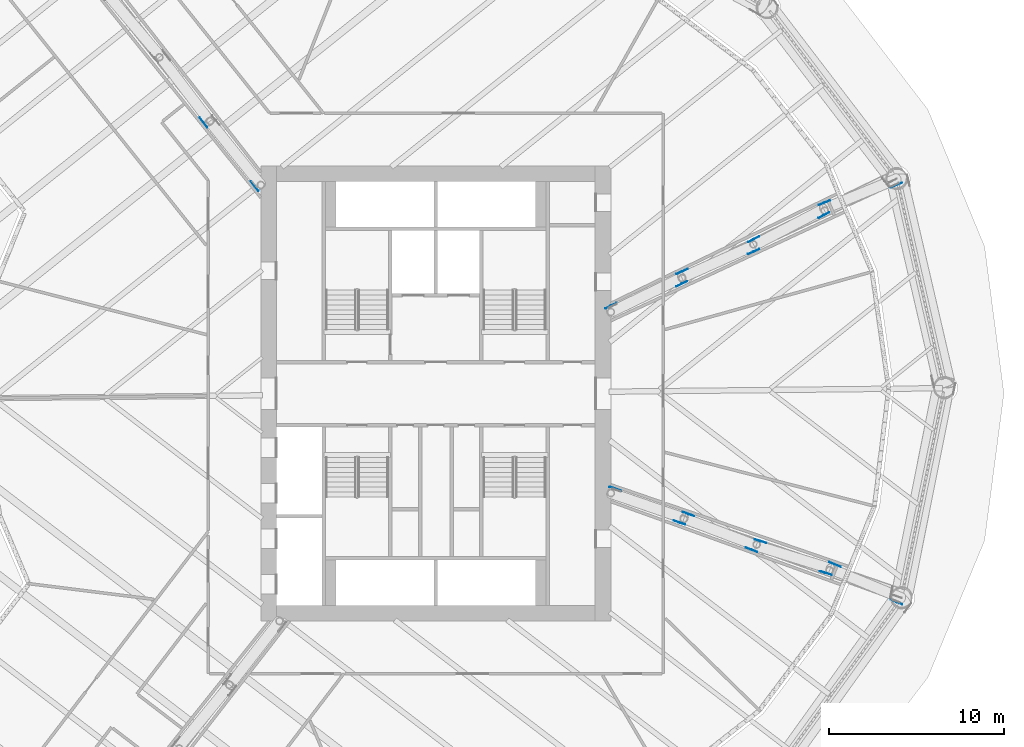
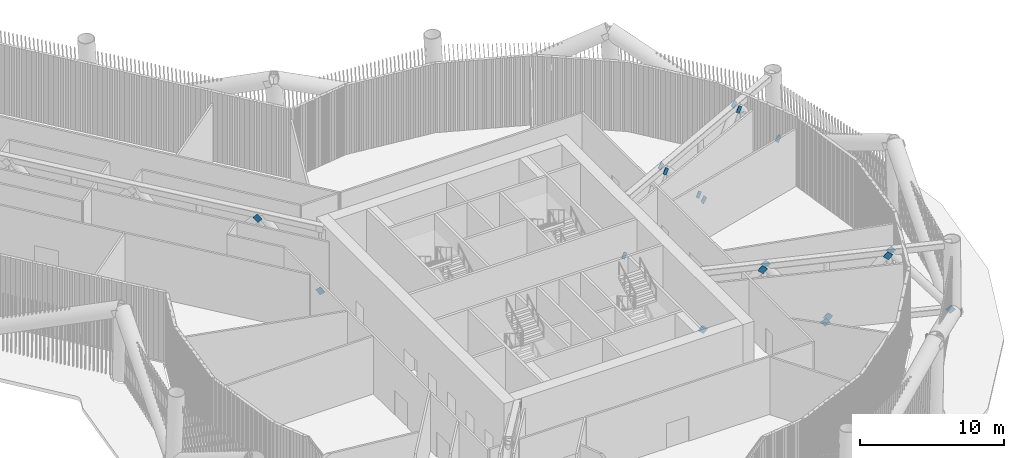
# One storey, part 20 of 48: 18 discrete accessories.
"""IFC4 building model written with IfcOpenShell, lengths in metres."""

from ifc_helpers import new_model, si_unit, direction, frame, origin, origin_2d, place, context, subcontext, project, spatial, rectangle, extrude, material, material_profile, profile_set, type_object, element, save


model = new_model("IFC4")

# Units and contexts
model_context = context("Model", 3, precision=1e-05, world=origin(), true_north=direction((0.0, 1.0)))
body_context = subcontext(model_context, "Body", "Model", "MODEL_VIEW")
ifc_project = project(units=[si_unit("LENGTHUNIT", "METRE"), si_unit("AREAUNIT", "SQUARE_METRE"), si_unit("VOLUMEUNIT", "CUBIC_METRE"), si_unit("PLANEANGLEUNIT", "RADIAN"), si_unit("MASSUNIT", "GRAM", prefix="KILO")], contexts=[model_context])

# Site, building, storey
site_placement = place(None, origin())
site = spatial("IfcSite", under=ifc_project, at=site_placement, CompositionType="ELEMENT")
building_placement = place(site_placement, origin())
building = spatial("IfcBuilding", under=site, at=building_placement, Name="Tarsis Ring Headquarters", CompositionType="ELEMENT")
storey_placement = place(building_placement, frame((0.0, 0.0, 34.0)))
storey = spatial("IfcBuildingStorey", under=building, at=storey_placement, Name="L06", CompositionType="ELEMENT", Elevation=34.0)

# Discrete accessories
ifc_material = material(Name="Structural steel S355", Category="steel")
ifc_material_profile = material_profile(ifc_material, rectangle(XDim=0.02490234375, YDim=0.5, at=origin_2d()), Name="PL 25x500")
ifc_profile_set = profile_set([ifc_material_profile], Name="Structural steel S355")
discrete_accessory_type = type_object("IfcDiscreteAccessoryType", Name="Gusset plate Outrigger 25", PredefinedType="BRACKET", material=ifc_profile_set)
for number, where, z_axis, x_axis, name in (
    (1, (10.103271484375, -5.393310546875, 0.25390625), (0.602971208263, -0.207011977574, 0.770436086348), (0.324715887148, 0.945811605254, 0.0), "Gusset plate GP1"),
    (2, (14.072509765625, -7.428955078125, 5.5859375), (-0.603137000507, 0.207557267381, -0.770159554493), (-0.325400720444, -0.945576211172, 0.0), "Gusset plate GP1"),
    (3, (14.287841796875, -6.83203125, 5.5859375), (0.596186786653, -0.225584189544, -0.77050184221), (0.353892097416, 0.935286257456, 0.0), "Gusset plate GP1"),
):
    element("IfcDiscreteAccessory", number, at=place(storey_placement, frame(where, z_axis=z_axis, x_axis=x_axis)), inside=storey, type_object=discrete_accessory_type, Name=name, PredefinedType="BRACKET", context=body_context, shape_type="SweptSolid", body=[
        extrude(rectangle(XDim=0.02490234375, YDim=0.5, at=origin_2d()), origin(), (0.0, 0.0, 1.0), 0.5),
    ])
discrete_accessory_1_placement = place(storey_placement, frame((18.185302734375, -8.9853515625, 0.25390625), z_axis=(-0.59596254555, 0.22549934156, 0.770700130568), x_axis=(-0.353892097416, -0.935286257456, 0.0)))
element("IfcDiscreteAccessory", 4, at=discrete_accessory_1_placement, inside=storey, type_object=discrete_accessory_type, Name="Gusset plate GP1", PredefinedType="BRACKET", context=body_context, shape_type="SweptSolid", body=[
    extrude(rectangle(XDim=0.02490234375, YDim=0.5, at=origin_2d()), origin(), (0.0, 0.0, 1.0), 0.500244140625),
])
for number, where, z_axis, x_axis, name in (
    (5, (18.3916015625, -8.385498046875, 0.25390625), (0.60986204533, -0.189452741063, 0.769529690505), (0.296663744209, 0.954982001334, 0.0), "Gusset plate GP1"),
    (6, (22.43310546875, -10.30322265625, 5.5859375), (-0.610454179376, 0.188996613935, -0.769172266013), (-0.295750146219, -0.955265330163, 0.0), "Gusset plate GP1"),
):
    element("IfcDiscreteAccessory", number, at=place(storey_placement, frame(where, z_axis=z_axis, x_axis=x_axis)), inside=storey, type_object=discrete_accessory_type, Name=name, PredefinedType="BRACKET", context=body_context, shape_type="SweptSolid", body=[
        extrude(rectangle(XDim=0.02490234375, YDim=0.5, at=origin_2d()), origin(), (0.0, 0.0, 1.0), 0.5),
    ])
discrete_accessory_2_placement = place(storey_placement, frame((22.6484375, -9.70703125, 5.5859375), z_axis=(0.588062120642, -0.243723420432, -0.771221003733), x_axis=(0.382871299654, 0.923801692952, 0.0)))
element("IfcDiscreteAccessory", 7, at=discrete_accessory_2_placement, inside=storey, type_object=discrete_accessory_type, Name="Gusset plate GP1", PredefinedType="BRACKET", context=body_context, shape_type="SweptSolid", body=[
    extrude(rectangle(XDim=0.02490234375, YDim=0.5, at=origin_2d()), origin(), (0.0, 0.0, 1.0), 0.499755859375),
])
discrete_accessory_3_placement = place(storey_placement, frame((26.473876953125, -11.97705078125, 0.25390625), z_axis=(-0.588160050618, 0.243561713907, 0.771197410768), x_axis=(-0.382600091646, -0.923914048964, 0.0)))
element("IfcDiscreteAccessory", 8, at=discrete_accessory_3_placement, inside=storey, type_object=discrete_accessory_type, Name="Gusset plate GP1", PredefinedType="BRACKET", context=body_context, shape_type="SweptSolid", body=[
    extrude(rectangle(XDim=0.02490234375, YDim=0.5, at=origin_2d()), origin(), (0.0, 0.0, 1.0), 0.500244140625),
])
for number, where, z_axis, x_axis, name in (
    (9, (-10.247314453125, 11.716552734375, 0.25390625), (-0.412041546995, 0.512610929318, 0.753293965656), (-0.779418314161, -0.626503863954, 0.0), "Gusset plate GP1"),
    (10, (-13.170166015625, 15.351318359375, 5.5859375), (-0.398508765292, 0.523531123031, -0.753064357942), (-0.795704263552, -0.605685334943, 0.0), "Gusset plate GP1"),
    (11, (9.86181640625, 4.94189453125, 0.25390625), (0.580537479088, 0.281235986505, 0.76412208139), (-0.435976348914, 0.899958123019, 0.0), "Gusset plate GP1"),
    (12, (14.19287109375, 6.3330078125, 5.5859375), (-0.581157437882, -0.280811367044, -0.763806918359), (0.435066432479, -0.900398355913, 0.0), "Gusset plate GP1"),
):
    element("IfcDiscreteAccessory", number, at=place(storey_placement, frame(where, z_axis=z_axis, x_axis=x_axis)), inside=storey, type_object=discrete_accessory_type, Name=name, PredefinedType="BRACKET", context=body_context, shape_type="SweptSolid", body=[
        extrude(rectangle(XDim=0.02490234375, YDim=0.5, at=origin_2d()), origin(), (0.0, 0.0, 1.0), 0.5),
    ])
discrete_accessory_4_placement = place(storey_placement, frame((13.925048828125, 6.908447265625, 5.5859375), z_axis=(0.589019717752, 0.263740172128, -0.763869683719), x_axis=(-0.408664735251, 0.912684575394, 0.0)))
element("IfcDiscreteAccessory", 13, at=discrete_accessory_4_placement, inside=storey, type_object=discrete_accessory_type, Name="Gusset plate GP1", PredefinedType="BRACKET", context=body_context, shape_type="SweptSolid", body=[
    extrude(rectangle(XDim=0.02490234375, YDim=0.5, at=origin_2d()), origin(), (0.0, 0.0, 1.0), 0.499755859375),
])
discrete_accessory_5_placement = place(storey_placement, frame((18.29638671875, 8.16943359375, 0.25390625), z_axis=(-0.588800019088, -0.263641799592, 0.764072993261), x_axis=(0.408664735251, -0.912684575394, 0.0)))
element("IfcDiscreteAccessory", 14, at=discrete_accessory_5_placement, inside=storey, type_object=discrete_accessory_type, Name="Gusset plate GP1", PredefinedType="BRACKET", context=body_context, shape_type="SweptSolid", body=[
    extrude(rectangle(XDim=0.02490234375, YDim=0.5, at=origin_2d()), origin(), (0.0, 0.0, 1.0), 0.5),
])
discrete_accessory_6_placement = place(storey_placement, frame((18.02001953125, 8.740234375, 0.25390625), z_axis=(0.572599320124, 0.298747471369, 0.763465760165), x_axis=(-0.462566006695, 0.886584846165, 0.0)))
element("IfcDiscreteAccessory", 15, at=discrete_accessory_6_placement, inside=storey, type_object=discrete_accessory_type, Name="Gusset plate GP1", PredefinedType="BRACKET", context=body_context, shape_type="SweptSolid", body=[
    extrude(rectangle(XDim=0.02490234375, YDim=0.5, at=origin_2d()), origin(), (0.0, 0.0, 1.0), 0.500244140625),
])
discrete_accessory_7_placement = place(storey_placement, frame((22.310546875, 10.262451171875, 5.5859375), z_axis=(-0.572271082628, -0.298830974888, -0.763679158047), x_axis=(0.462876153824, -0.886422961244, 0.0)))
element("IfcDiscreteAccessory", 16, at=discrete_accessory_7_placement, inside=storey, type_object=discrete_accessory_type, Name="Gusset plate GP1", PredefinedType="BRACKET", context=body_context, shape_type="SweptSolid", body=[
    extrude(rectangle(XDim=0.02490234375, YDim=0.5, at=origin_2d()), origin(), (0.0, 0.0, 1.0), 0.5),
])
discrete_accessory_8_placement = place(storey_placement, frame((22.04296875, 10.837158203125, 5.5859375), z_axis=(0.597352929803, 0.245681540221, -0.763419974883), x_axis=(-0.380369434933, 0.924834630066, 0.0)))
element("IfcDiscreteAccessory", 17, at=discrete_accessory_8_placement, inside=storey, type_object=discrete_accessory_type, Name="Gusset plate GP1", PredefinedType="BRACKET", context=body_context, shape_type="SweptSolid", body=[
    extrude(rectangle(XDim=0.02490234375, YDim=0.5, at=origin_2d()), origin(), (0.0, 0.0, 1.0), 0.499755859375),
])
discrete_accessory_9_placement = place(storey_placement, frame((26.45458984375, 11.96826171875, 0.25390625), z_axis=(-0.597058582904, -0.246048671941, 0.763531989911), x_axis=(0.381015949538, -0.924568464851, 0.0)))
element("IfcDiscreteAccessory", 18, at=discrete_accessory_9_placement, inside=storey, type_object=discrete_accessory_type, Name="Gusset plate GP1", PredefinedType="BRACKET", context=body_context, shape_type="SweptSolid", body=[
    extrude(rectangle(XDim=0.02490234375, YDim=0.5, at=origin_2d()), origin(), (0.0, 0.0, 1.0), 0.5),
])

save(model, "model.ifc")
